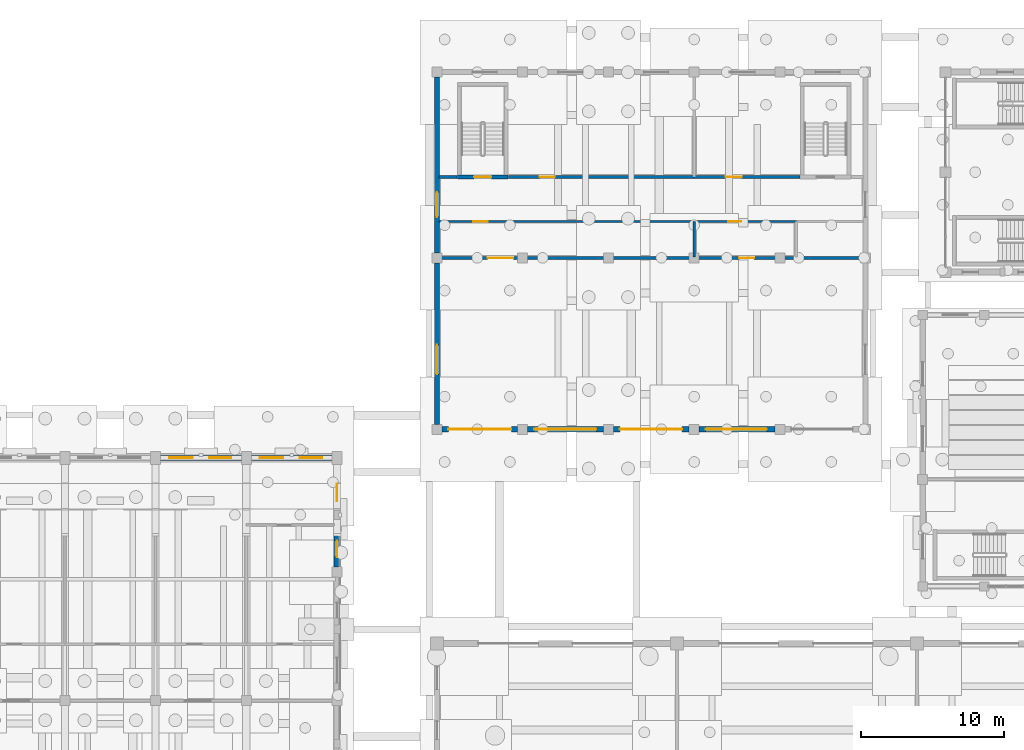
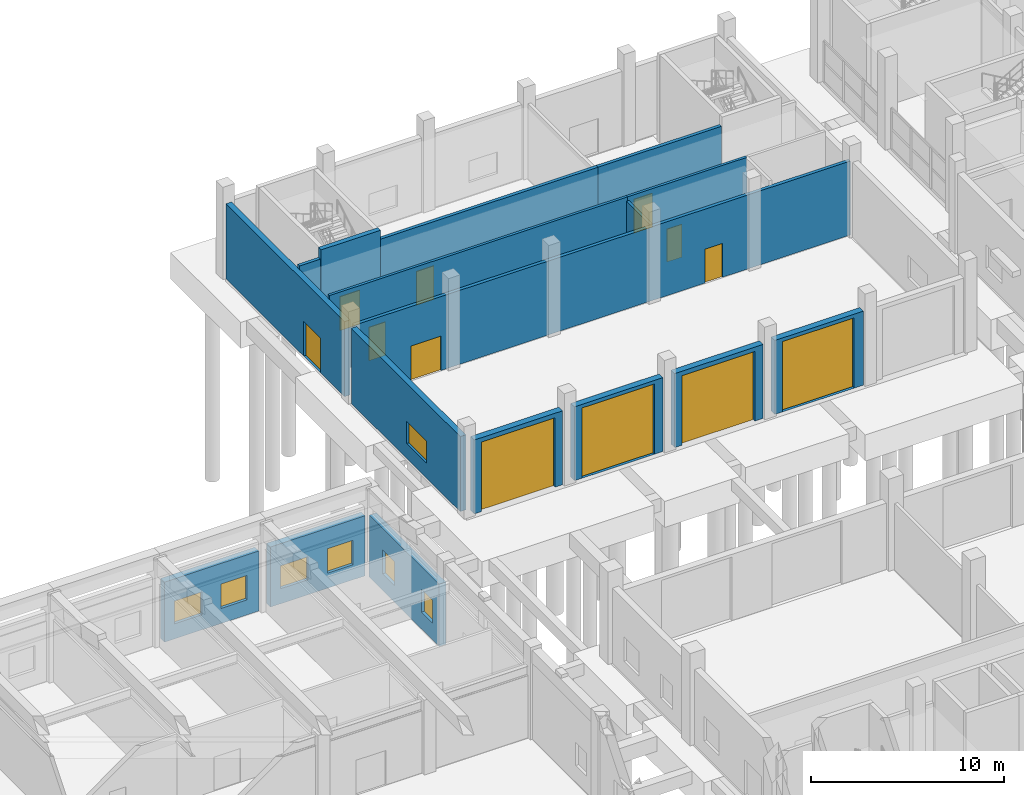
# One storey, part 40 of 60: 17 walls, 12 doors, 7 windows, 19 openings.
"""IFC4 building model written with IfcOpenShell, lengths in metres."""

from ifc_helpers import new_model, si_unit, direction, frame, frame_2d, origin, place, context, subcontext, project, spatial, rectangle, extrude, material, layer, layer_set, type_object, element, fill, save


model = new_model("IFC4")

# Units and contexts
model_context = context("Model", 3, precision=1e-05, world=origin(), true_north=direction((0.0, 1.0)))
body_context = subcontext(model_context, "Body", "Model", "MODEL_VIEW")
ifc_project = project(units=[si_unit("LENGTHUNIT", "METRE"), si_unit("AREAUNIT", "SQUARE_METRE"), si_unit("VOLUMEUNIT", "CUBIC_METRE"), si_unit("PLANEANGLEUNIT", "RADIAN"), si_unit("MASSUNIT", "GRAM", prefix="KILO")], contexts=[model_context])

# Site, building, storey
site_placement = place(None, origin())
site = spatial("IfcSite", under=ifc_project, at=site_placement, CompositionType="ELEMENT")
building_placement = place(site_placement, origin())
building = spatial("IfcBuilding", under=site, at=building_placement, Name="Trellovar Central Fire Station", CompositionType="ELEMENT")
storey_placement = place(building_placement, origin())
storey = spatial("IfcBuildingStorey", under=building, at=storey_placement, Name="L01", CompositionType="ELEMENT", Elevation=0.0)

# Wall, openings, windows
ifc_material_1 = material(Name="Catalan polychrome brickwork with insulated cavity", Category="masonry")
ifc_layer_1 = layer(ifc_material_1, 0.419921875)
ifc_layer_set_1 = layer_set([ifc_layer_1], Name="Catalan polychrome brickwork with insulated cavity")
wall_type_1 = type_object("IfcWallType", Name="EW-1", PredefinedType="STANDARD", material=ifc_layer_set_1)
wall_1_placement = place(storey_placement, frame((98.5, 38.35009765625, 0.0), z_axis=(0.0, 0.0, 1.0), x_axis=(0.0, 1.0, 0.0)))
wall_1 = element("IfcWall", 1, at=wall_1_placement, inside=storey, type_object=wall_type_1, Name="V1 E gable lower wall 4", PredefinedType="STANDARD", context=body_context, shape_type="SweptSolid", body=[
    extrude(rectangle(XDim=7.25, YDim=0.419921875, at=frame_2d((3.625, 0.0))), origin(), (0.0, 0.0, 1.0), 3.927978515625),
])
opening_1_placement = place(wall_1_placement, frame((0.699951171875, 0.0, 1.050048828125)))
opening_1 = element("IfcOpeningElement", 2, at=opening_1_placement, cuts=wall_1, Name="Opening W-01", PredefinedType="OPENING", context=body_context, shape_type="SweptSolid", body=[
    extrude(rectangle(XDim=1.14990234375, YDim=1.449951171875, at=frame_2d((0.574951171875, 0.72509765625))), frame((0.0, 0.219970703125, 0.0), z_axis=(0.0, -1.0, 0.0), x_axis=(1.0, 0.0, 0.0)), (0.0, 0.0, 1.0), 0.43994140625),
])
opening_2_placement = place(wall_1_placement, frame((4.60009765625, 0.0, 1.050048828125)))
opening_2 = element("IfcOpeningElement", 3, at=opening_2_placement, cuts=wall_1, Name="Opening W-14", PredefinedType="OPENING", context=body_context, shape_type="SweptSolid", body=[
    extrude(rectangle(XDim=1.25, YDim=1.5, at=frame_2d((0.625, 0.75))), frame((0.0, 0.219970703125, 0.0), z_axis=(0.0, -1.0, 0.0), x_axis=(1.0, 0.0, 0.0)), (0.0, 0.0, 1.0), 0.43994140625),
])
ifc_material_2 = material(Name="Thermally broken bronze anodized aluminum", Category="aluminium")
window_type_1 = type_object("IfcWindowType", Name="WIN-01", PartitioningType="SINGLE_PANEL", PredefinedType="WINDOW", material=ifc_material_2)
window_1_placement = place(opening_1_placement, origin())
window_1 = element("IfcWindow", 4, at=window_1_placement, inside=storey, type_object=window_type_1, Name="L01 window W-01", OverallHeight=1.449951171875, OverallWidth=1.14990234375, PartitioningType="SINGLE_PANEL", PredefinedType="WINDOW", context=body_context, shape_type="SweptSolid", body=[
    extrude(rectangle(XDim=1.14990234375, YDim=1.449951171875, at=frame_2d((0.574951171875, 0.72509765625))), frame((0.0, 0.030029296875, 0.0), z_axis=(0.0, -1.0, 0.0), x_axis=(1.0, 0.0, 0.0)), (0.0, 0.0, 1.0), 0.06005859375),
])
fill(opening_1, window_1)
ifc_material_3 = material(Name="Thermally broken bronze anodized aluminum", Category="aluminium")
window_type_2 = type_object("IfcWindowType", Name="WIN-14", PartitioningType="SINGLE_PANEL", PredefinedType="WINDOW", material=ifc_material_3)
window_2_placement = place(opening_2_placement, origin())
window_2 = element("IfcWindow", 5, at=window_2_placement, inside=storey, type_object=window_type_2, Name="L01 window W-14", OverallHeight=1.5, OverallWidth=1.25, PartitioningType="SINGLE_PANEL", PredefinedType="WINDOW", context=body_context, shape_type="SweptSolid", body=[
    extrude(rectangle(XDim=1.25, YDim=1.5, at=frame_2d((0.625, 0.75))), frame((0.0, 0.030029296875, 0.0), z_axis=(0.0, -1.0, 0.0), x_axis=(1.0, 0.0, 0.0)), (0.0, 0.0, 1.0), 0.06005859375),
])
fill(opening_2, window_2)

# Wall, opening, door
ifc_material_4 = material(Name="Catalan polychrome brickwork with insulated cavity", Category="masonry")
ifc_layer_2 = layer(ifc_material_4, 0.3798828125)
ifc_layer_set_2 = layer_set([ifc_layer_2], Name="Catalan polychrome brickwork with insulated cavity")
wall_type_2 = type_object("IfcWallType", Name="EW-2", PredefinedType="STANDARD", material=ifc_layer_set_2)
wall_2_placement = place(storey_placement, frame((105.85009765625, 48.0, 0.0), z_axis=(0.0, 0.0, 1.0), x_axis=(1.0, 0.0, 0.0)))
wall_2 = element("IfcWall", 6, at=wall_2_placement, inside=storey, type_object=wall_type_2, Name="V6 fleet bay 1 south wall", PredefinedType="STANDARD", context=body_context, shape_type="SweptSolid", body=[
    extrude(rectangle(XDim=5.2998046875, YDim=0.3798828125, at=frame_2d((2.64990234375, 0.0))), origin(), (0.0, 0.0, 1.0), 4.677978515625),
])
opening_3_placement = place(wall_2_placement, frame((0.449951171875, 0.0, 0.0)))
opening_3 = element("IfcOpeningElement", 7, at=opening_3_placement, cuts=wall_2, Name="Opening BD-2", PredefinedType="OPENING", context=body_context, shape_type="SweptSolid", body=[
    extrude(rectangle(XDim=4.39990234375, YDim=4.39990234375, at=frame_2d((2.199951171875, 2.199951171875))), frame((0.0, 0.199951171875, 0.0), z_axis=(0.0, -1.0, 0.0), x_axis=(1.0, 0.0, 0.0)), (0.0, 0.0, 1.0), 0.39990234375),
])
ifc_material_5 = material(Name="Glazed terracotta-orange insulated steel roller shutter", Category="masonry")
door_type_1 = type_object("IfcDoorType", Name="DR-BAY2", OperationType="ROLLINGUP", PredefinedType="DOOR", material=ifc_material_5)
door_1_placement = place(opening_3_placement, origin())
door_1 = element("IfcDoor", 8, at=door_1_placement, inside=storey, type_object=door_type_1, Name="Heavy fleet maintenance bay 1 door", OperationType="ROLLINGUP", OverallHeight=4.39990234375, OverallWidth=4.39990234375, PredefinedType="DOOR", context=body_context, shape_type="SweptSolid", body=[
    extrude(rectangle(XDim=4.39990234375, YDim=4.39990234375, at=frame_2d((2.199951171875, 2.199951171875))), frame((0.0, 0.02490234375, 0.0), z_axis=(0.0, -1.0, 0.0), x_axis=(1.0, 0.0, 0.0)), (0.0, 0.0, 1.0), 0.050048828125),
])
fill(opening_3, door_1)

wall_3_placement = place(storey_placement, frame((111.85009765625, 48.0, 0.0), z_axis=(0.0, 0.0, 1.0), x_axis=(1.0, 0.0, 0.0)))
wall_3 = element("IfcWall", 9, at=wall_3_placement, inside=storey, type_object=wall_type_2, Name="V6 fleet bay 2 south wall", PredefinedType="STANDARD", context=body_context, shape_type="SweptSolid", body=[
    extrude(rectangle(XDim=5.2998046875, YDim=0.3798828125, at=frame_2d((2.64990234375, 0.0))), origin(), (0.0, 0.0, 1.0), 4.677978515625),
])
opening_4_placement = place(wall_3_placement, frame((0.449951171875, 0.0, 0.0)))
opening_4 = element("IfcOpeningElement", 10, at=opening_4_placement, cuts=wall_3, Name="Opening BD-3", PredefinedType="OPENING", context=body_context, shape_type="SweptSolid", body=[
    extrude(rectangle(XDim=4.35009765625, YDim=4.449951171875, at=frame_2d((2.175048828125, 2.22509765625))), frame((0.0, 0.199951171875, 0.0), z_axis=(0.0, -1.0, 0.0), x_axis=(1.0, 0.0, 0.0)), (0.0, 0.0, 1.0), 0.39990234375),
])
ifc_material_6 = material(Name="Glazed terracotta-orange insulated steel roller shutter", Category="masonry")
door_type_2 = type_object("IfcDoorType", Name="DR-BAY3", OperationType="ROLLINGUP", PredefinedType="DOOR", material=ifc_material_6)
door_2_placement = place(opening_4_placement, origin())
door_2 = element("IfcDoor", 11, at=door_2_placement, inside=storey, type_object=door_type_2, Name="Heavy fleet maintenance bay 2 door", OperationType="ROLLINGUP", OverallHeight=4.449951171875, OverallWidth=4.35009765625, PredefinedType="DOOR", context=body_context, shape_type="SweptSolid", body=[
    extrude(rectangle(XDim=4.35009765625, YDim=4.449951171875, at=frame_2d((2.175048828125, 2.22509765625))), frame((0.0, 0.02490234375, 0.0), z_axis=(0.0, -1.0, 0.0), x_axis=(1.0, 0.0, 0.0)), (0.0, 0.0, 1.0), 0.050048828125),
])
fill(opening_4, door_2)

wall_4_placement = place(storey_placement, frame((117.85009765625, 48.0, 0.0), z_axis=(0.0, 0.0, 1.0), x_axis=(1.0, 0.0, 0.0)))
wall_4 = element("IfcWall", 12, at=wall_4_placement, inside=storey, type_object=wall_type_2, Name="V6 fleet bay 3 south wall", PredefinedType="STANDARD", context=body_context, shape_type="SweptSolid", body=[
    extrude(rectangle(XDim=5.2998046875, YDim=0.3798828125, at=frame_2d((2.64990234375, 0.0))), origin(), (0.0, 0.0, 1.0), 4.677978515625),
])
opening_5_placement = place(wall_4_placement, frame((0.449951171875, 0.0, 0.0)))
opening_5 = element("IfcOpeningElement", 13, at=opening_5_placement, cuts=wall_4, Name="Opening BD-4", PredefinedType="OPENING", context=body_context, shape_type="SweptSolid", body=[
    extrude(rectangle(XDim=4.35009765625, YDim=4.39990234375, at=frame_2d((2.175048828125, 2.199951171875))), frame((0.0, 0.199951171875, 0.0), z_axis=(0.0, -1.0, 0.0), x_axis=(1.0, 0.0, 0.0)), (0.0, 0.0, 1.0), 0.39990234375),
])
ifc_material_7 = material(Name="Glazed terracotta-orange insulated steel roller shutter", Category="masonry")
door_type_3 = type_object("IfcDoorType", Name="DR-BAY4", OperationType="ROLLINGUP", PredefinedType="DOOR", material=ifc_material_7)
door_3_placement = place(opening_5_placement, origin())
door_3 = element("IfcDoor", 14, at=door_3_placement, inside=storey, type_object=door_type_3, Name="Heavy fleet maintenance bay 3 door", OperationType="ROLLINGUP", OverallHeight=4.39990234375, OverallWidth=4.35009765625, PredefinedType="DOOR", context=body_context, shape_type="SweptSolid", body=[
    extrude(rectangle(XDim=4.35009765625, YDim=4.39990234375, at=frame_2d((2.175048828125, 2.199951171875))), frame((0.0, 0.02490234375, 0.0), z_axis=(0.0, -1.0, 0.0), x_axis=(1.0, 0.0, 0.0)), (0.0, 0.0, 1.0), 0.050048828125),
])
fill(opening_5, door_3)

wall_5_placement = place(storey_placement, frame((123.85009765625, 48.0, 0.0), z_axis=(0.0, 0.0, 1.0), x_axis=(1.0, 0.0, 0.0)))
wall_5 = element("IfcWall", 15, at=wall_5_placement, inside=storey, type_object=wall_type_2, Name="V6 fleet bay 4 south wall", PredefinedType="STANDARD", context=body_context, shape_type="SweptSolid", body=[
    extrude(rectangle(XDim=5.2998046875, YDim=0.3798828125, at=frame_2d((2.64990234375, 0.0))), origin(), (0.0, 0.0, 1.0), 4.677978515625),
])
opening_6_placement = place(wall_5_placement, frame((0.449951171875, 0.0, 0.0)))
opening_6 = element("IfcOpeningElement", 16, at=opening_6_placement, cuts=wall_5, Name="Opening BD-5", PredefinedType="OPENING", context=body_context, shape_type="SweptSolid", body=[
    extrude(rectangle(XDim=4.300048828125, YDim=4.449951171875, at=frame_2d((2.14990234375, 2.22509765625))), frame((0.0, 0.199951171875, 0.0), z_axis=(0.0, -1.0, 0.0), x_axis=(1.0, 0.0, 0.0)), (0.0, 0.0, 1.0), 0.39990234375),
])
ifc_material_8 = material(Name="Glazed terracotta-orange insulated steel roller shutter", Category="masonry")
door_type_4 = type_object("IfcDoorType", Name="DR-BAY5", OperationType="ROLLINGUP", PredefinedType="DOOR", material=ifc_material_8)
door_4_placement = place(opening_6_placement, origin())
door_4 = element("IfcDoor", 17, at=door_4_placement, inside=storey, type_object=door_type_4, Name="Heavy fleet maintenance bay 4 door", OperationType="ROLLINGUP", OverallHeight=4.449951171875, OverallWidth=4.300048828125, PredefinedType="DOOR", context=body_context, shape_type="SweptSolid", body=[
    extrude(rectangle(XDim=4.300048828125, YDim=4.449951171875, at=frame_2d((2.14990234375, 2.22509765625))), frame((0.0, 0.02490234375, 0.0), z_axis=(0.0, -1.0, 0.0), x_axis=(1.0, 0.0, 0.0)), (0.0, 0.0, 1.0), 0.050048828125),
])
fill(opening_6, door_4)

# Wall, opening, window
ifc_material_9 = material(Name="Textured desert sandstone masonry", Category="masonry")
ifc_layer_3 = layer(ifc_material_9, 0.340087890625)
ifc_layer_set_3 = layer_set([ifc_layer_3], Name="Textured desert sandstone masonry")
wall_type_3 = type_object("IfcWallType", Name="EW-3", PredefinedType="STANDARD", material=ifc_layer_set_3)
wall_6_placement = place(storey_placement, frame((105.5, 48.35009765625, 0.0), z_axis=(0.0, 0.0, 1.0), x_axis=(0.0, 1.0, 0.0)))
wall_6 = element("IfcWall", 18, at=wall_6_placement, inside=storey, type_object=wall_type_3, Name="V6 L01 W workshop wall", PredefinedType="STANDARD", context=body_context, shape_type="SweptSolid", body=[
    extrude(rectangle(XDim=11.2998046875, YDim=0.340087890625, at=frame_2d((5.64990234375, 0.0))), origin(), (0.0, 0.0, 1.0), 4.749267578125),
])
opening_7_placement = place(wall_6_placement, frame((3.5, 0.0, 0.949951171875)))
opening_7 = element("IfcOpeningElement", 19, at=opening_7_placement, cuts=wall_6, Name="Opening W-15", PredefinedType="OPENING", context=body_context, shape_type="SweptSolid", body=[
    extrude(rectangle(XDim=2.050048828125, YDim=1.39990234375, at=frame_2d((1.02490234375, 0.699951171875))), frame((0.0, 0.179931640625, 0.0), z_axis=(0.0, -1.0, 0.0), x_axis=(1.0, 0.0, 0.0)), (0.0, 0.0, 1.0), 0.360107421875),
])
ifc_material_10 = material(Name="Thermally broken bronze anodized aluminum", Category="aluminium")
window_type_3 = type_object("IfcWindowType", Name="WIN-15", PartitioningType="DOUBLE_PANEL_VERTICAL", PredefinedType="WINDOW", material=ifc_material_10)
window_3_placement = place(opening_7_placement, origin())
window_3 = element("IfcWindow", 20, at=window_3_placement, inside=storey, type_object=window_type_3, Name="L01 window W-15", OverallHeight=1.39990234375, OverallWidth=2.050048828125, PartitioningType="DOUBLE_PANEL_VERTICAL", PredefinedType="WINDOW", context=body_context, shape_type="SweptSolid", body=[
    extrude(rectangle(XDim=2.050048828125, YDim=1.39990234375, at=frame_2d((1.02490234375, 0.699951171875))), frame((0.0, 0.030029296875, 0.0), z_axis=(0.0, -1.0, 0.0), x_axis=(1.0, 0.0, 0.0)), (0.0, 0.0, 1.0), 0.06005859375),
])
fill(opening_7, window_3)

# Wall, opening, door
wall_7_placement = place(storey_placement, frame((105.5, 60.35009765625, 0.0), z_axis=(0.0, 0.0, 1.0), x_axis=(0.0, 1.0, 0.0)))
wall_7 = element("IfcWall", 21, at=wall_7_placement, inside=storey, type_object=wall_type_3, Name="V6 L01 W north wall", PredefinedType="STANDARD", context=body_context, shape_type="SweptSolid", body=[
    extrude(rectangle(XDim=12.2998046875, YDim=0.340087890625, at=frame_2d((6.14990234375, 0.0))), origin(), (0.0, 0.0, 1.0), 4.749267578125),
])
opening_8_placement = place(wall_7_placement, frame((2.5, 0.0, 0.0)))
opening_8 = element("IfcOpeningElement", 22, at=opening_8_placement, cuts=wall_7, Name="Opening EX-2", PredefinedType="OPENING", context=body_context, shape_type="SweptSolid", body=[
    extrude(rectangle(XDim=1.75, YDim=2.199951171875, at=frame_2d((0.875, 1.10009765625))), frame((0.0, 0.179931640625, 0.0), z_axis=(0.0, -1.0, 0.0), x_axis=(1.0, 0.0, 0.0)), (0.0, 0.0, 1.0), 0.360107421875),
])
ifc_material_11 = material(Name="Hollow galvanized steel with acoustic core", Category="steel")
door_type_5 = type_object("IfcDoorType", Name="DR-EXT2", OperationType="DOUBLE_DOOR_SINGLE_SWING", PredefinedType="DOOR", material=ifc_material_11)
door_5_placement = place(opening_8_placement, origin())
door_5 = element("IfcDoor", 23, at=door_5_placement, inside=storey, type_object=door_type_5, Name="Fleet corridor W yard exit", OperationType="DOUBLE_DOOR_SINGLE_SWING", OverallHeight=2.199951171875, OverallWidth=1.75, PredefinedType="DOOR", context=body_context, shape_type="SweptSolid", body=[
    extrude(rectangle(XDim=1.75, YDim=2.199951171875, at=frame_2d((0.875, 1.10009765625))), frame((0.0, 0.02490234375, 0.0), z_axis=(0.0, -1.0, 0.0), x_axis=(1.0, 0.0, 0.0)), (0.0, 0.0, 1.0), 0.050048828125),
])
fill(opening_8, door_5)

# Wall, openings, windows
ifc_material_12 = material(Name="Catalan polychrome brickwork with insulated cavity", Category="masonry")
ifc_layer_4 = layer(ifc_material_12, 0.39990234375)
ifc_layer_set_4 = layer_set([ifc_layer_4], Name="Catalan polychrome brickwork with insulated cavity")
wall_type_4 = type_object("IfcWallType", Name="EW-7", PredefinedType="STANDARD", material=ifc_layer_set_4)
wall_8_placement = place(storey_placement, frame((91.800048828125, 46.0, 0.0), z_axis=(0.0, 0.0, 1.0), x_axis=(-1.0, 0.0, 0.0)))
wall_8 = element("IfcWall", 24, at=wall_8_placement, inside=storey, type_object=wall_type_4, Name="V1 north facade bay 9", PredefinedType="STANDARD", context=body_context, shape_type="SweptSolid", body=[
    extrude(rectangle(XDim=5.650146484375, YDim=0.39990234375, at=frame_2d((2.8251953125, 0.0))), origin(), (0.0, 0.0, 1.0), 3.800048828125),
])
opening_9_placement = place(wall_8_placement, frame((0.699951171875, 0.0, 0.949951171875)))
opening_9 = element("IfcOpeningElement", 25, at=opening_9_placement, cuts=wall_8, Name="Opening W-02", PredefinedType="OPENING", context=body_context, shape_type="SweptSolid", body=[
    extrude(rectangle(XDim=1.550048828125, YDim=1.550048828125, at=frame_2d((0.77490234375, 0.77490234375))), frame((0.0, 0.2099609375, 0.0), z_axis=(0.0, -1.0, 0.0), x_axis=(1.0, 0.0, 0.0)), (0.0, 0.0, 1.0), 0.419921875),
])
opening_10_placement = place(wall_8_placement, frame((3.39990234375, 0.0, 0.949951171875)))
opening_10 = element("IfcOpeningElement", 26, at=opening_10_placement, cuts=wall_8, Name="Opening W-12", PredefinedType="OPENING", context=body_context, shape_type="SweptSolid", body=[
    extrude(rectangle(XDim=1.64990234375, YDim=1.449951171875, at=frame_2d((0.824951171875, 0.72509765625))), frame((0.0, 0.2099609375, 0.0), z_axis=(0.0, -1.0, 0.0), x_axis=(1.0, 0.0, 0.0)), (0.0, 0.0, 1.0), 0.419921875),
])
ifc_material_13 = material(Name="Thermally broken bronze anodized aluminum", Category="aluminium")
window_type_4 = type_object("IfcWindowType", Name="WIN-02", PartitioningType="DOUBLE_PANEL_VERTICAL", PredefinedType="WINDOW", material=ifc_material_13)
window_4_placement = place(opening_9_placement, origin())
window_4 = element("IfcWindow", 27, at=window_4_placement, inside=storey, type_object=window_type_4, Name="North concave tail bay 9 window A", OverallHeight=1.550048828125, OverallWidth=1.550048828125, PartitioningType="DOUBLE_PANEL_VERTICAL", PredefinedType="WINDOW", context=body_context, shape_type="SweptSolid", body=[
    extrude(rectangle(XDim=1.550048828125, YDim=1.550048828125, at=frame_2d((0.77490234375, 0.77490234375))), frame((0.0, 0.030029296875, 0.0), z_axis=(0.0, -1.0, 0.0), x_axis=(1.0, 0.0, 0.0)), (0.0, 0.0, 1.0), 0.06005859375),
])
fill(opening_9, window_4)
ifc_material_14 = material(Name="Thermally broken bronze anodized aluminum", Category="aluminium")
window_type_5 = type_object("IfcWindowType", Name="WIN-12", PartitioningType="DOUBLE_PANEL_VERTICAL", PredefinedType="WINDOW", material=ifc_material_14)
window_5_placement = place(opening_10_placement, origin())
window_5 = element("IfcWindow", 28, at=window_5_placement, inside=storey, type_object=window_type_5, Name="North concave tail bay 9 window B", OverallHeight=1.449951171875, OverallWidth=1.64990234375, PartitioningType="DOUBLE_PANEL_VERTICAL", PredefinedType="WINDOW", context=body_context, shape_type="SweptSolid", body=[
    extrude(rectangle(XDim=1.64990234375, YDim=1.449951171875, at=frame_2d((0.824951171875, 0.72509765625))), frame((0.0, 0.030029296875, 0.0), z_axis=(0.0, -1.0, 0.0), x_axis=(1.0, 0.0, 0.0)), (0.0, 0.0, 1.0), 0.06005859375),
])
fill(opening_10, window_5)

wall_9_placement = place(storey_placement, frame((98.14990234375, 46.0, 0.0), z_axis=(0.0, 0.0, 1.0), x_axis=(-1.0, 0.0, 0.0)))
wall_9 = element("IfcWall", 29, at=wall_9_placement, inside=storey, type_object=wall_type_4, Name="V1 north facade bay 10", PredefinedType="STANDARD", context=body_context, shape_type="SweptSolid", body=[
    extrude(rectangle(XDim=5.64990234375, YDim=0.39990234375, at=frame_2d((2.824951171875, 0.0))), origin(), (0.0, 0.0, 1.0), 3.800048828125),
])
opening_11_placement = place(wall_9_placement, frame((0.699951171875, 0.0, 0.949951171875)))
opening_11 = element("IfcOpeningElement", 30, at=opening_11_placement, cuts=wall_9, Name="Opening W-02", PredefinedType="OPENING", context=body_context, shape_type="SweptSolid", body=[
    extrude(rectangle(XDim=1.550048828125, YDim=1.550048828125, at=frame_2d((0.77490234375, 0.77490234375))), frame((0.0, 0.2099609375, 0.0), z_axis=(0.0, -1.0, 0.0), x_axis=(1.0, 0.0, 0.0)), (0.0, 0.0, 1.0), 0.419921875),
])
opening_12_placement = place(wall_9_placement, frame((3.39990234375, 0.0, 0.949951171875)))
opening_12 = element("IfcOpeningElement", 31, at=opening_12_placement, cuts=wall_9, Name="Opening W-12", PredefinedType="OPENING", context=body_context, shape_type="SweptSolid", body=[
    extrude(rectangle(XDim=1.64990234375, YDim=1.449951171875, at=frame_2d((0.824951171875, 0.72509765625))), frame((0.0, 0.2099609375, 0.0), z_axis=(0.0, -1.0, 0.0), x_axis=(1.0, 0.0, 0.0)), (0.0, 0.0, 1.0), 0.419921875),
])
window_6_placement = place(opening_11_placement, origin())
window_6 = element("IfcWindow", 32, at=window_6_placement, inside=storey, type_object=window_type_4, Name="North concave tail bay 10 window A", OverallHeight=1.550048828125, OverallWidth=1.550048828125, PartitioningType="DOUBLE_PANEL_VERTICAL", PredefinedType="WINDOW", context=body_context, shape_type="SweptSolid", body=[
    extrude(rectangle(XDim=1.550048828125, YDim=1.550048828125, at=frame_2d((0.77490234375, 0.77490234375))), frame((0.0, 0.030029296875, 0.0), z_axis=(0.0, -1.0, 0.0), x_axis=(1.0, 0.0, 0.0)), (0.0, 0.0, 1.0), 0.06005859375),
])
fill(opening_11, window_6)
window_7_placement = place(opening_12_placement, origin())
window_7 = element("IfcWindow", 33, at=window_7_placement, inside=storey, type_object=window_type_5, Name="North concave tail bay 10 window B", OverallHeight=1.449951171875, OverallWidth=1.64990234375, PartitioningType="DOUBLE_PANEL_VERTICAL", PredefinedType="WINDOW", context=body_context, shape_type="SweptSolid", body=[
    extrude(rectangle(XDim=1.64990234375, YDim=1.449951171875, at=frame_2d((0.824951171875, 0.72509765625))), frame((0.0, 0.030029296875, 0.0), z_axis=(0.0, -1.0, 0.0), x_axis=(1.0, 0.0, 0.0)), (0.0, 0.0, 1.0), 0.06005859375),
])
fill(opening_12, window_7)

# Wall, openings, doors
ifc_material_15 = material(Name="Acoustic concrete masonry unit", Category="masonry")
ifc_layer_5 = layer(ifc_material_15, 0.199951171875)
ifc_layer_set_5 = layer_set([ifc_layer_5], Name="Acoustic concrete masonry unit")
wall_type_5 = type_object("IfcWallType", Name="PT-1", PredefinedType="PARTITIONING", material=ifc_layer_set_5)
wall_10_placement = place(storey_placement, frame((105.64990234375, 60.0, 0.0), z_axis=(0.0, 0.0, 1.0), x_axis=(1.0, 0.0, 0.0)))
wall_10 = element("IfcWall", 34, at=wall_10_placement, inside=storey, type_object=wall_type_5, Name="V6 L01 workshop mezzanine spine wall", PredefinedType="PARTITIONING", context=body_context, shape_type="SweptSolid", body=[
    extrude(rectangle(XDim=29.7001953125, YDim=0.199951171875, at=frame_2d((14.85009765625, 0.0))), origin(), (0.0, 0.0, 1.0), 4.677978515625),
])
opening_13_placement = place(wall_10_placement, frame((3.39990234375, 0.0, 0.0)))
opening_13 = element("IfcOpeningElement", 35, at=opening_13_placement, cuts=wall_10, Name="Opening ID-3", PredefinedType="OPENING", context=body_context, shape_type="SweptSolid", body=[
    extrude(rectangle(XDim=1.800048828125, YDim=2.179931640625, at=frame_2d((0.89990234375, 1.08984375))), frame((0.0, 0.10986328125, 0.0), z_axis=(0.0, -1.0, 0.0), x_axis=(1.0, 0.0, 0.0)), (0.0, 0.0, 1.0), 0.219970703125),
])
opening_14_placement = place(wall_10_placement, frame((21.0, 0.0, 0.0)))
opening_14 = element("IfcOpeningElement", 36, at=opening_14_placement, cuts=wall_10, Name="Opening ID-5", PredefinedType="OPENING", context=body_context, shape_type="SweptSolid", body=[
    extrude(rectangle(XDim=1.050048828125, YDim=2.139892578125, at=frame_2d((0.52490234375, 1.06982421875))), frame((0.0, 0.10986328125, 0.0), z_axis=(0.0, -1.0, 0.0), x_axis=(1.0, 0.0, 0.0)), (0.0, 0.0, 1.0), 0.219970703125),
])
ifc_material_16 = material(Name="Hollow galvanized steel with acoustic core", Category="steel")
door_type_6 = type_object("IfcDoorType", Name="DR-INT3", OperationType="DOUBLE_DOOR_SINGLE_SWING", PredefinedType="DOOR", material=ifc_material_16)
door_6_placement = place(opening_13_placement, origin())
door_6 = element("IfcDoor", 37, at=door_6_placement, inside=storey, type_object=door_type_6, Name="Heavy fleet workshop interior door W", OperationType="DOUBLE_DOOR_SINGLE_SWING", OverallHeight=2.179931640625, OverallWidth=1.800048828125, PredefinedType="DOOR", context=body_context, shape_type="SweptSolid", body=[
    extrude(rectangle(XDim=1.800048828125, YDim=2.179931640625, at=frame_2d((0.89990234375, 1.08984375))), frame((0.0, 0.02490234375, 0.0), z_axis=(0.0, -1.0, 0.0), x_axis=(1.0, 0.0, 0.0)), (0.0, 0.0, 1.0), 0.050048828125),
])
fill(opening_13, door_6)
ifc_material_17 = material(Name="Hollow galvanized steel with acoustic core", Category="steel")
door_type_7 = type_object("IfcDoorType", Name="DR-INT5", OperationType="SINGLE_SWING_LEFT", PredefinedType="DOOR", material=ifc_material_17)
door_7_placement = place(opening_14_placement, origin())
door_7 = element("IfcDoor", 38, at=door_7_placement, inside=storey, type_object=door_type_7, Name="Heavy fleet workshop interior door E", OperationType="SINGLE_SWING_RIGHT", OverallHeight=2.139892578125, OverallWidth=1.050048828125, PredefinedType="DOOR", context=body_context, shape_type="SweptSolid", body=[
    extrude(rectangle(XDim=1.050048828125, YDim=2.139892578125, at=frame_2d((0.52490234375, 1.06982421875))), frame((0.0, 0.02490234375, 0.0), z_axis=(0.0, -1.0, 0.0), x_axis=(1.0, 0.0, 0.0)), (0.0, 0.0, 1.0), 0.050048828125),
])
fill(opening_14, door_7)

# Wall
wall_11_placement = place(storey_placement, frame((105.64990234375, 65.659912109375, 0.0), z_axis=(0.0, 0.0, 1.0), x_axis=(1.0, 0.0, 0.0)))
element("IfcWall", 39, at=wall_11_placement, inside=storey, type_object=wall_type_5, Name="V6 L01 NW stub wall", PredefinedType="PARTITIONING", context=body_context, shape_type="SweptSolid", body=[
    extrude(rectangle(XDim=1.25, YDim=0.199951171875, at=frame_2d((0.625, 0.0))), origin(), (0.0, 0.0, 1.0), 5.0),
])

# Wall, opening, door
wall_12_placement = place(storey_placement, frame((110.5, 65.659912109375, 0.0), z_axis=(0.0, 0.0, 1.0), x_axis=(1.0, 0.0, 0.0)))
wall_12 = element("IfcWall", 40, at=wall_12_placement, inside=storey, type_object=wall_type_5, Name="V6 L01 north corridor wall", PredefinedType="PARTITIONING", context=body_context, shape_type="SweptSolid", body=[
    extrude(rectangle(XDim=13.0, YDim=0.199951171875, at=frame_2d((6.5, 0.0))), origin(), (0.0, 0.0, 1.0), 5.0),
])
opening_15_placement = place(wall_12_placement, frame((2.199951171875, 0.0, 0.0)))
opening_15 = element("IfcOpeningElement", 41, at=opening_15_placement, cuts=wall_12, Name="Opening ID-5", PredefinedType="OPENING", context=body_context, shape_type="SweptSolid", body=[
    extrude(rectangle(XDim=1.050048828125, YDim=2.139892578125, at=frame_2d((0.52490234375, 1.06982421875))), frame((0.0, 0.10986328125, 0.0), z_axis=(0.0, -1.0, 0.0), x_axis=(1.0, 0.0, 0.0)), (0.0, 0.0, 1.0), 0.219970703125),
])
door_8_placement = place(opening_15_placement, origin())
door_8 = element("IfcDoor", 42, at=door_8_placement, inside=storey, type_object=door_type_7, Name="V6 L01 north technical room door", OperationType="SINGLE_SWING_LEFT", OverallHeight=2.139892578125, OverallWidth=1.050048828125, PredefinedType="DOOR", context=body_context, shape_type="SweptSolid", body=[
    extrude(rectangle(XDim=1.050048828125, YDim=2.139892578125, at=frame_2d((0.52490234375, 1.06982421875))), frame((0.0, 0.02490234375, 0.0), z_axis=(0.0, -1.0, 0.0), x_axis=(1.0, 0.0, 0.0)), (0.0, 0.0, 1.0), 0.050048828125),
])
fill(opening_15, door_8)

wall_13_placement = place(storey_placement, frame((123.5, 65.659912109375, 0.0), z_axis=(0.0, 0.0, 1.0), x_axis=(1.0, 0.0, 0.0)))
wall_13 = element("IfcWall", 43, at=wall_13_placement, inside=storey, type_object=wall_type_5, Name="V6 L01 north corridor wall", PredefinedType="PARTITIONING", context=body_context, shape_type="SweptSolid", body=[
    extrude(rectangle(XDim=7.39990234375, YDim=0.199951171875, at=frame_2d((3.699951171875, 0.0))), origin(), (0.0, 0.0, 1.0), 5.0),
])
opening_16_placement = place(wall_13_placement, frame((2.199951171875, 0.0, 0.0)))
opening_16 = element("IfcOpeningElement", 44, at=opening_16_placement, cuts=wall_13, Name="Opening ID-12", PredefinedType="OPENING", context=body_context, shape_type="SweptSolid", body=[
    extrude(rectangle(XDim=1.1201171875, YDim=2.14990234375, at=frame_2d((0.56005859375, 1.074951171875))), frame((0.0, 0.10986328125, 0.0), z_axis=(0.0, -1.0, 0.0), x_axis=(1.0, 0.0, 0.0)), (0.0, 0.0, 1.0), 0.219970703125),
])
ifc_material_18 = material(Name="Hollow galvanized steel with acoustic core", Category="steel")
door_type_8 = type_object("IfcDoorType", Name="DR-INT12", OperationType="SINGLE_SWING_LEFT", PredefinedType="DOOR", material=ifc_material_18)
door_9_placement = place(opening_16_placement, origin())
door_9 = element("IfcDoor", 45, at=door_9_placement, inside=storey, type_object=door_type_8, Name="V6 L01 north technical room door", OperationType="SINGLE_SWING_RIGHT", OverallHeight=2.14990234375, OverallWidth=1.1201171875, PredefinedType="DOOR", context=body_context, shape_type="SweptSolid", body=[
    extrude(rectangle(XDim=1.1201171875, YDim=2.14990234375, at=frame_2d((0.56005859375, 1.074951171875))), frame((0.0, 0.02490234375, 0.0), z_axis=(0.0, -1.0, 0.0), x_axis=(1.0, 0.0, 0.0)), (0.0, 0.0, 1.0), 0.050048828125),
])
fill(opening_16, door_9)

ifc_material_19 = material(Name="Acoustic concrete masonry unit", Category="masonry")
ifc_layer_6 = layer(ifc_material_19, 0.159912109375)
ifc_layer_set_6 = layer_set([ifc_layer_6], Name="Acoustic concrete masonry unit")
wall_type_6 = type_object("IfcWallType", Name="PT-2", PredefinedType="PARTITIONING", material=ifc_layer_set_6)
wall_14_placement = place(storey_placement, frame((105.64990234375, 62.550048828125, 0.0), z_axis=(0.0, 0.0, 1.0), x_axis=(1.0, 0.0, 0.0)))
wall_14 = element("IfcWall", 46, at=wall_14_placement, inside=storey, type_object=wall_type_6, Name="V6 L01 south corridor wall", PredefinedType="PARTITIONING", context=body_context, shape_type="SweptSolid", body=[
    extrude(rectangle(XDim=17.85009765625, YDim=0.159912109375, at=frame_2d((8.925048828125, 0.0))), origin(), (0.0, 0.0, 1.0), 5.0),
])
opening_17_placement = place(wall_14_placement, frame((2.39990234375, 0.0, 0.0)))
opening_17 = element("IfcOpeningElement", 47, at=opening_17_placement, cuts=wall_14, Name="Opening ID-1", PredefinedType="OPENING", context=body_context, shape_type="SweptSolid", body=[
    extrude(rectangle(XDim=1.0, YDim=2.1201171875, at=frame_2d((0.5, 1.06005859375))), frame((0.0, 0.08984375, 0.0), z_axis=(0.0, -1.0, 0.0), x_axis=(1.0, 0.0, 0.0)), (0.0, 0.0, 1.0), 0.179931640625),
])
ifc_material_20 = material(Name="Solid core acoustic white oak veneer", Category="wood")
door_type_9 = type_object("IfcDoorType", Name="DR-INT1", OperationType="SINGLE_SWING_LEFT", PredefinedType="DOOR", material=ifc_material_20)
door_10_placement = place(opening_17_placement, origin())
door_10 = element("IfcDoor", 48, at=door_10_placement, inside=storey, type_object=door_type_9, Name="V6 L01 shop door", OperationType="SINGLE_SWING_LEFT", OverallHeight=2.1201171875, OverallWidth=1.0, PredefinedType="DOOR", context=body_context, shape_type="SweptSolid", body=[
    extrude(rectangle(XDim=1.0, YDim=2.1201171875, at=frame_2d((0.5, 1.06005859375))), frame((0.0, 0.02490234375, 0.0), z_axis=(0.0, -1.0, 0.0), x_axis=(1.0, 0.0, 0.0)), (0.0, 0.0, 1.0), 0.050048828125),
])
fill(opening_17, door_10)

wall_15_placement = place(storey_placement, frame((123.5, 62.550048828125, 0.0), z_axis=(0.0, 0.0, 1.0), x_axis=(1.0, 0.0, 0.0)))
wall_15 = element("IfcWall", 49, at=wall_15_placement, inside=storey, type_object=wall_type_6, Name="V6 L01 south corridor wall", PredefinedType="PARTITIONING", context=body_context, shape_type="SweptSolid", body=[
    extrude(rectangle(XDim=7.14990234375, YDim=0.159912109375, at=frame_2d((3.574951171875, 0.0))), origin(), (0.0, 0.0, 1.0), 5.0),
])
opening_18_placement = place(wall_15_placement, frame((2.39990234375, 0.0, 0.0)))
opening_18 = element("IfcOpeningElement", 50, at=opening_18_placement, cuts=wall_15, Name="Opening ID-11", PredefinedType="OPENING", context=body_context, shape_type="SweptSolid", body=[
    extrude(rectangle(XDim=0.89990234375, YDim=2.080078125, at=frame_2d((0.449951171875, 1.0400390625))), frame((0.0, 0.08984375, 0.0), z_axis=(0.0, -1.0, 0.0), x_axis=(1.0, 0.0, 0.0)), (0.0, 0.0, 1.0), 0.179931640625),
])
ifc_material_21 = material(Name="Solid core acoustic white oak veneer", Category="wood")
door_type_10 = type_object("IfcDoorType", Name="DR-INT11", OperationType="SINGLE_SWING_LEFT", PredefinedType="DOOR", material=ifc_material_21)
door_11_placement = place(opening_18_placement, origin())
door_11 = element("IfcDoor", 51, at=door_11_placement, inside=storey, type_object=door_type_10, Name="V6 L01 accessible WC door", OperationType="SINGLE_SWING_RIGHT", OverallHeight=2.080078125, OverallWidth=0.89990234375, PredefinedType="DOOR", context=body_context, shape_type="SweptSolid", body=[
    extrude(rectangle(XDim=0.89990234375, YDim=2.080078125, at=frame_2d((0.449951171875, 1.0400390625))), frame((0.0, 0.02490234375, 0.0), z_axis=(0.0, -1.0, 0.0), x_axis=(1.0, 0.0, 0.0)), (0.0, 0.0, 1.0), 0.050048828125),
])
fill(opening_18, door_11)

# Wall
wall_16_placement = place(storey_placement, frame((123.5, 60.050048828125, 0.0), z_axis=(0.0, 0.0, 1.0), x_axis=(0.0, 1.0, 0.0)))
element("IfcWall", 52, at=wall_16_placement, inside=storey, type_object=wall_type_6, Name="V6 L01 WC divider W", PredefinedType="PARTITIONING", context=body_context, shape_type="SweptSolid", body=[
    extrude(rectangle(XDim=2.5, YDim=0.159912109375, at=frame_2d((1.25, 0.0))), origin(), (0.0, 0.0, 1.0), 4.749267578125),
])

# Wall, opening, door
ifc_material_22 = material(Name="Concrete C40/50", Category="concrete")
ifc_layer_7 = layer(ifc_material_22, 0.280029296875)
ifc_layer_set_7 = layer_set([ifc_layer_7], Name="Concrete C40/50")
wall_type_7 = type_object("IfcWallType", Name="SW-1", PredefinedType="SHEAR", material=ifc_layer_set_7)
wall_17_placement = place(storey_placement, frame((110.47998046875, 65.659912109375, 0.0), z_axis=(0.0, 0.0, 1.0), x_axis=(-1.0, 0.0, 0.0)))
wall_17 = element("IfcWall", 53, at=wall_17_placement, inside=storey, type_object=wall_type_7, Name="Stair ST-07 L01 front corridor wall", PredefinedType="SHEAR", context=body_context, shape_type="SweptSolid", body=[
    extrude(rectangle(XDim=3.56005859375, YDim=0.280029296875, at=frame_2d((1.780029296875, 0.0))), origin(), (0.0, 0.0, 1.0), 5.60009765625),
])
opening_19_placement = place(wall_17_placement, frame((1.179931640625, 0.0, 0.0)))
opening_19 = element("IfcOpeningElement", 54, at=opening_19_placement, cuts=wall_17, Name="Opening SD-1", PredefinedType="OPENING", context=body_context, shape_type="SweptSolid", body=[
    extrude(rectangle(XDim=1.199951171875, YDim=2.14990234375, at=frame_2d((0.60009765625, 1.074951171875))), frame((0.0, 0.14990234375, 0.0), z_axis=(0.0, -1.0, 0.0), x_axis=(1.0, 0.0, 0.0)), (0.0, 0.0, 1.0), 0.300048828125),
])
ifc_material_23 = material(Name="Hollow galvanized steel with acoustic core", Category="steel")
door_type_11 = type_object("IfcDoorType", Name="DR-STR1", OperationType="SINGLE_SWING_LEFT", PredefinedType="DOOR", material=ifc_material_23)
door_12_placement = place(opening_19_placement, origin())
door_12 = element("IfcDoor", 55, at=door_12_placement, inside=storey, type_object=door_type_11, Name="Stair ST-07 L01 fire door", OperationType="SINGLE_SWING_LEFT", OverallHeight=2.14990234375, OverallWidth=1.199951171875, PredefinedType="DOOR", context=body_context, shape_type="SweptSolid", body=[
    extrude(rectangle(XDim=1.199951171875, YDim=2.14990234375, at=frame_2d((0.60009765625, 1.074951171875))), frame((0.0, 0.02490234375, 0.0), z_axis=(0.0, -1.0, 0.0), x_axis=(1.0, 0.0, 0.0)), (0.0, 0.0, 1.0), 0.050048828125),
])
fill(opening_19, door_12)

save(model, "model.ifc")
